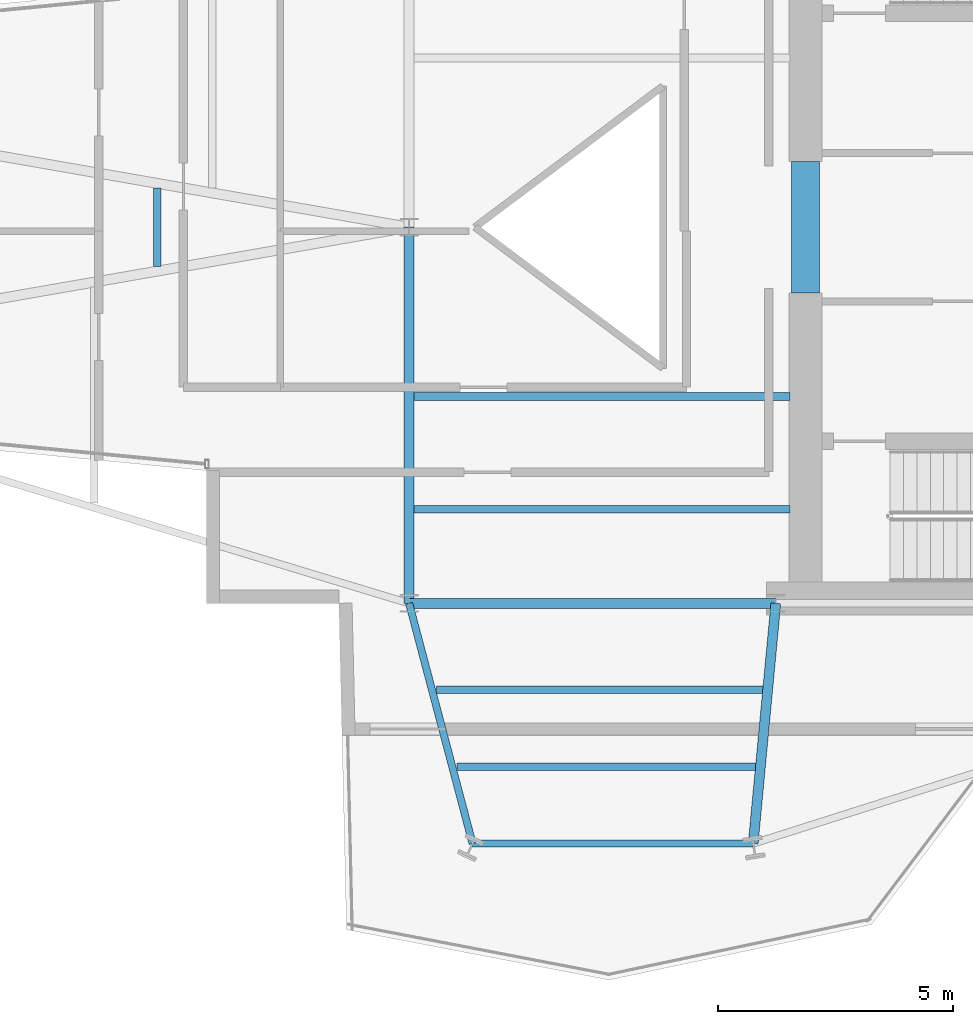
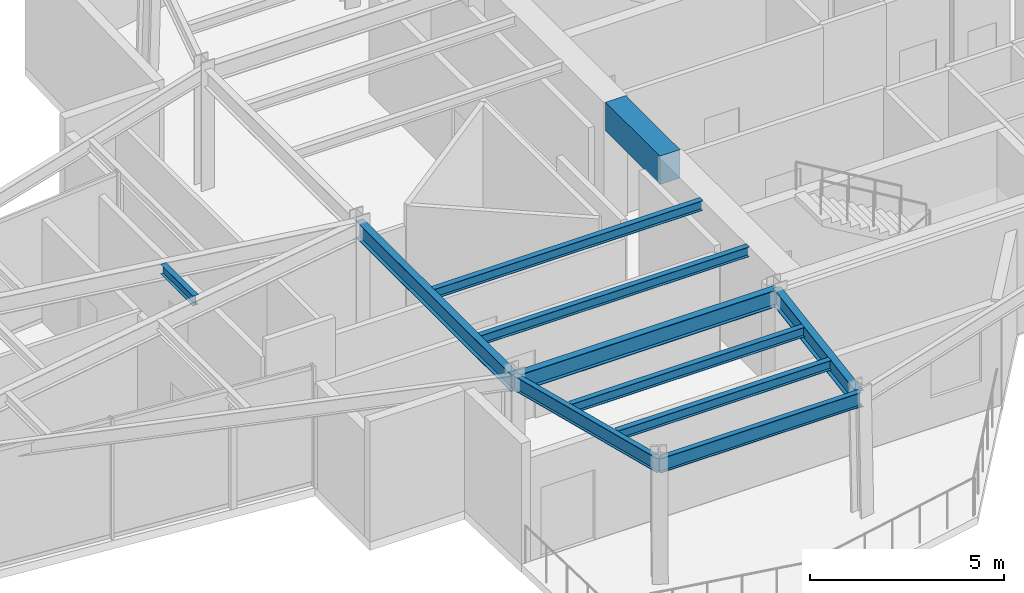
# One storey, part 5 of 21: 11 beams.
"""IFC4 building model written with IfcOpenShell, lengths in metres."""

import ifcopenshell
import ifcopenshell.guid

model = None  # the IFC model being written
_history = None  # IfcOwnerHistory: only IFC2X3 demands one
_inside = {}  # id of a spatial element -> (the spatial element, [elements in it])
_under = {}  # id of a project, library or spatial element -> (it, [spatial elements below it])
_declared = {}  # id of a project -> (the project, [libraries it declares])
_typed = {}  # id of a type object -> (the type object, [elements of that type])
_made_of = {}  # id of a material, layer set ... -> (it, [elements and type objects made of it])


def new_model(schema):
    """Start an empty IFC model of exactly this schema.

    Asked for "IFC4X3", IfcOpenShell would pick the latest addendum, in which some entities
    have other attributes; the version numbers below select the first issue.
    IFC2X3 requires an IfcOwnerHistory on every rooted entity: one is made here for all.
    """
    global model, _history
    if schema == "IFC4X3":
        model = ifcopenshell.file(schema_version=(4, 3, 0, 0))
    else:
        model = ifcopenshell.file(schema=schema)
    _inside.clear()
    _under.clear()
    _declared.clear()
    _typed.clear()
    _made_of.clear()
    _history = None
    if model.schema == "IFC2X3":
        org = make("IfcOrganization", Name="unknown")
        user = make(
            "IfcPersonAndOrganization",
            ThePerson=make("IfcPerson", FamilyName="unknown"),
            TheOrganization=org,
        )
        app = make(
            "IfcApplication",
            ApplicationDeveloper=org,
            Version="unknown",
            ApplicationFullName="unknown",
            ApplicationIdentifier="unknown",
        )
        _history = make(
            "IfcOwnerHistory",
            OwningUser=user,
            OwningApplication=app,
            ChangeAction="ADDED",
            CreationDate=0,
        )
    return model


def make(cls, **values):
    """One entity of the class cls with the attributes given. An attribute that is None is left unset."""
    return model.create_entity(
        cls, **{name: value for name, value in values.items() if value is not None}
    )


def rooted(cls, **values):
    """An entity with a GlobalId (a new one), such as an element, a storey or a relation."""
    return make(cls, GlobalId=ifcopenshell.guid.new(), OwnerHistory=_history, **values)


def si_unit(unit_type, name, prefix=None):
    """IfcSIUnit, for example si_unit("LENGTHUNIT", "METRE", prefix="MILLI")."""
    return make("IfcSIUnit", UnitType=unit_type, Prefix=prefix, Name=name)


def assignment(units):
    """IfcUnitAssignment: the units of a project."""
    return None if units is None else make("IfcUnitAssignment", Units=units)


def point(xyz):
    """IfcCartesianPoint."""
    return None if xyz is None else make("IfcCartesianPoint", Coordinates=xyz)


def direction(xyz):
    """IfcDirection."""
    return None if xyz is None else make("IfcDirection", DirectionRatios=xyz)


def frame(location, z_axis=None, x_axis=None):
    """IfcAxis2Placement3D, a coordinate frame: its origin and axes. An axis left out is left unset."""
    return make(
        "IfcAxis2Placement3D",
        Location=point(location),
        Axis=direction(z_axis),
        RefDirection=direction(x_axis),
    )


def frame_2d(location, x_axis=None):
    """IfcAxis2Placement2D, a coordinate frame in the plane: its origin and x axis."""
    return make(
        "IfcAxis2Placement2D", Location=point(location), RefDirection=direction(x_axis)
    )


def origin():
    """The frame at (0, 0, 0) with its axes left unset."""
    return frame((0.0, 0.0, 0.0))


def origin_2d():
    """The frame at (0, 0) in the plane with its x axis left unset."""
    return frame_2d((0.0, 0.0))


def place(relative_to, where):
    """IfcLocalPlacement: puts the frame where relative to a parent placement (None: the world)."""
    return make(
        "IfcLocalPlacement", PlacementRelTo=relative_to, RelativePlacement=where
    )


def context(
    kind, dimensions, precision=None, world=None, true_north=None, identifier=None
):
    """IfcGeometricRepresentationContext, for example the 3D "Model" context."""
    return make(
        "IfcGeometricRepresentationContext",
        ContextIdentifier=identifier,
        ContextType=kind,
        CoordinateSpaceDimension=dimensions,
        Precision=precision,
        WorldCoordinateSystem=world,
        TrueNorth=true_north,
    )


def subcontext(parent, identifier, kind, view, scale=None):
    """IfcGeometricRepresentationSubContext, for example "Body" below "Model"."""
    return make(
        "IfcGeometricRepresentationSubContext",
        ContextIdentifier=identifier,
        ContextType=kind,
        ParentContext=parent,
        TargetScale=scale,
        TargetView=view,
    )


def project(units=None, contexts=None):
    """IfcProject with its units and contexts."""
    return rooted(
        "IfcProject",
        Name="project",
        RepresentationContexts=contexts,
        UnitsInContext=assignment(units),
    )


def spatial(cls, under=None, at=None, **own):
    """A site, building, storey or space (cls), placed at a placement, below another one or the project."""
    s = rooted(cls, ObjectPlacement=at, **own)
    if under is not None:
        _under.setdefault(under.id(), (under, []))[1].append(s)
    return s


def profile(cls, at=None, kind="AREA", **sizes):
    """A parametric profile (cls). Its sizes go by their IFC names, for example OverallWidth=200.0."""
    return make(cls, ProfileType=kind, Position=at, **sizes)


def rectangle(**sizes):
    """IfcRectangleProfileDef."""
    return profile("IfcRectangleProfileDef", **sizes)


def i_section(**sizes):
    """IfcIShapeProfileDef."""
    return profile("IfcIShapeProfileDef", **sizes)


def extrude(swept, where, along, depth):
    """IfcExtrudedAreaSolid: the profile swept, set in the frame where, extruded along a direction by depth."""
    return make(
        "IfcExtrudedAreaSolid",
        SweptArea=swept,
        Position=where,
        ExtrudedDirection=direction(along),
        Depth=depth,
    )


def shape(context_of_items, identifier, shape_type, items):
    """IfcShapeRepresentation: the items that make up one representation, for example the "Body"."""
    return make(
        "IfcShapeRepresentation",
        ContextOfItems=context_of_items,
        RepresentationIdentifier=identifier,
        RepresentationType=shape_type,
        Items=items,
    )


def material(Name=None, Category=None):
    """IfcMaterial."""
    return make("IfcMaterial", Name=Name, Category=Category)


def material_profile(
    of_material, cross_section, Name=None, Category=None, Priority=None
):
    """IfcMaterialProfile: a cross section and its material."""
    return make(
        "IfcMaterialProfile",
        Name=Name,
        Material=of_material,
        Profile=cross_section,
        Priority=Priority,
        Category=Category,
    )


def profile_set(profiles, Name=None, composite=None):
    """IfcMaterialProfileSet."""
    return make(
        "IfcMaterialProfileSet",
        Name=Name,
        MaterialProfiles=profiles,
        CompositeProfile=composite,
    )


def made_of(thing, what):
    """Note that an element or type object is made of a material, layer set ...; save() writes the relation."""
    if what is not None:
        _made_of.setdefault(what.id(), (what, []))[1].append(thing)
    return thing


def type_object(cls, material=None, **own):
    """A type object (cls), such as IfcWallType, which elements share."""
    return made_of(rooted(cls, **own), material)


def element(
    cls,
    number,
    at=None,
    inside=None,
    cuts=None,
    type_object=None,
    material=None,
    context=None,
    identifier="Body",
    shape_type=None,
    held_by="IfcProductDefinitionShape",
    body=None,
    shapes=None,
    **own,
):
    """One element of the class cls, such as IfcWall. Its Tag is "e" and its number.

    at: its placement. inside: the storey or other place that contains it. cuts: it is an
    opening in that element (IfcRelVoidsElement). A single representation is given by context,
    identifier, shape_type and body (its items); several are given by shapes. held_by: the class
    of the entity that holds the representations. save() writes the other relations.
    """
    e = rooted(cls, Tag="e%d" % number, ObjectPlacement=at, **own)
    if body is not None:
        shapes = [shape(context, identifier, shape_type, body)]
    if shapes is not None:
        e.Representation = make(held_by, Representations=shapes)
    if inside is not None:
        _inside.setdefault(inside.id(), (inside, []))[1].append(e)
    if cuts is not None:
        rooted(
            "IfcRelVoidsElement", RelatingBuildingElement=cuts, RelatedOpeningElement=e
        )
    if type_object is not None:
        _typed.setdefault(type_object.id(), (type_object, []))[1].append(e)
    return made_of(e, material)


def aggregate(whole, parts):
    """IfcRelAggregates: a whole, such as a stair, and the parts it consists of."""
    return rooted("IfcRelAggregates", RelatingObject=whole, RelatedObjects=parts)


def save(model, path):
    """Write the relations noted so far, then the file.

    IfcRelAggregates (storeys below a building ...), IfcRelContainedInSpatialStructure (elements
    in a storey), IfcRelDefinesByType, IfcRelAssociatesMaterial and IfcRelDeclares: one each for
    every whole, place, type object, material and project.
    """
    for whole, parts in _under.values():
        aggregate(whole, parts)
    for where, things in _inside.values():
        rooted(
            "IfcRelContainedInSpatialStructure",
            RelatedElements=things,
            RelatingStructure=where,
        )
    for kind, things in _typed.values():
        rooted("IfcRelDefinesByType", RelatedObjects=things, RelatingType=kind)
    for what, things in _made_of.values():
        rooted("IfcRelAssociatesMaterial", RelatedObjects=things, RelatingMaterial=what)
    for by, libraries in _declared.values():
        rooted("IfcRelDeclares", RelatingContext=by, RelatedDefinitions=libraries)
    model.write(path)


model = new_model("IFC4")

# Units and contexts
model_context = context("Model", 3, precision=1e-05, world=origin(), true_north=direction((0.0, 1.0)))
body_context = subcontext(model_context, "Body", "Model", "MODEL_VIEW")
ifc_project = project(units=[si_unit("LENGTHUNIT", "METRE"), si_unit("AREAUNIT", "SQUARE_METRE"), si_unit("VOLUMEUNIT", "CUBIC_METRE"), si_unit("PLANEANGLEUNIT", "RADIAN"), si_unit("MASSUNIT", "GRAM", prefix="KILO")], contexts=[model_context])

# Site, building, storey
site_placement = place(None, origin())
site = spatial("IfcSite", under=ifc_project, at=site_placement, CompositionType="ELEMENT")
building_placement = place(site_placement, origin())
building = spatial("IfcBuilding", under=site, at=building_placement, Name="Veymaron Broadcast Tower", CompositionType="ELEMENT")
storey_placement = place(building_placement, frame((0.0, 0.0, 240.449951171875)))
storey = spatial("IfcBuildingStorey", under=building, at=storey_placement, Name="L56", CompositionType="ELEMENT", Elevation=240.449951171875)

# Beams
ifc_material_1 = material(Name="Concrete C60/75", Category="concrete")
ifc_material_profile_1 = material_profile(ifc_material_1, rectangle(XDim=0.60009765625, YDim=0.89990234375, at=origin_2d()), Name="RC600X900")
ifc_profile_set_1 = profile_set([ifc_material_profile_1], Name="Concrete C60/75")
beam_type_1 = type_object("IfcBeamType", Name="BM-CB2", PredefinedType="LINTEL", material=ifc_profile_set_1)
beam_1_placement = place(storey_placement, frame((39.6298828125, 22.60009765625, 3.340087890625), z_axis=(0.0, 1.0, 0.0), x_axis=(-1.0, 0.0, 0.0)))
element("IfcBeam", 1, at=beam_1_placement, inside=storey, type_object=beam_type_1, Name="L56 Core Wall west coupling beam", PredefinedType="LINTEL", context=body_context, shape_type="SweptSolid", body=[
    extrude(rectangle(XDim=0.60009765625, YDim=0.89990234375, at=origin_2d()), origin(), (0.0, 0.0, 1.0), 2.7998046875),
])
ifc_material_2 = material(Name="Structural steel ASTM A992 Gr 50", Category="steel")
ifc_material_profile_2 = material_profile(ifc_material_2, i_section(OverallWidth=0.2099609375, OverallDepth=0.537109375, WebThickness=0.010986328125, FlangeThickness=0.017333984375, at=origin_2d()), Name="W530X101")
ifc_profile_set_2 = profile_set([ifc_material_profile_2], Name="Structural steel ASTM A992 Gr 50")
beam_type_2 = type_object("IfcBeamType", Name="BM-FG3", PredefinedType="BEAM", material=ifc_profile_set_2)
beam_2_placement = place(storey_placement, frame((31.199951171875, 16.0, 3.521484375), z_axis=(0.0, 1.0, 0.0), x_axis=(-1.0, 0.0, 0.0)))
element("IfcBeam", 2, at=beam_2_placement, inside=storey, type_object=beam_type_2, Name="L56 primary structural floor girder", PredefinedType="BEAM", context=body_context, shape_type="SweptSolid", body=[
    extrude(i_section(OverallWidth=0.2099609375, OverallDepth=0.537109375, WebThickness=0.010986328125, FlangeThickness=0.017333984375, at=origin_2d()), origin(), (0.0, 0.0, 1.0), 8.0),
])
beam_3_placement = place(storey_placement, frame((31.199951171875, 16.0, 3.521484375), z_axis=(1.0, 0.0, 0.0), x_axis=(0.0, 1.0, 0.0)))
element("IfcBeam", 3, at=beam_3_placement, inside=storey, type_object=beam_type_2, Name="L56 primary structural floor girder", PredefinedType="BEAM", context=body_context, shape_type="SweptSolid", body=[
    extrude(i_section(OverallWidth=0.2099609375, OverallDepth=0.537109375, WebThickness=0.010986328125, FlangeThickness=0.017333984375, at=origin_2d()), origin(), (0.0, 0.0, 1.0), 7.800048828125),
])
beam_4_placement = place(storey_placement, frame((39.0, 16.0, 3.521484375), z_axis=(-0.093933273565, -0.995578495206, 0.0), x_axis=(0.995578495206, -0.093933273565, 0.0)))
element("IfcBeam", 4, at=beam_4_placement, inside=storey, type_object=beam_type_2, Name="L56 primary structural floor girder", PredefinedType="BEAM", context=body_context, shape_type="SweptSolid", body=[
    extrude(i_section(OverallWidth=0.2099609375, OverallDepth=0.537109375, WebThickness=0.010986328125, FlangeThickness=0.017333984375, at=origin_2d()), origin(), (0.0, 0.0, 1.0), 5.130615234375),
])
ifc_material_profile_3 = material_profile(ifc_material_2, i_section(OverallWidth=0.1650390625, OverallDepth=0.31005859375, WebThickness=0.005859375, FlangeThickness=0.009765625, at=origin_2d()), Name="W310X39")
ifc_profile_set_3 = profile_set([ifc_material_profile_3], Name="Structural steel ASTM A992 Gr 50")
beam_type_3 = type_object("IfcBeamType", Name="BM-JS3", PredefinedType="JOIST", material=ifc_profile_set_3)
beam_5_placement = place(storey_placement, frame((25.840576171875, 23.166259765625, 3.635009765625), z_axis=(0.0, 1.0, 0.0), x_axis=(-1.0, 0.0, 0.0)))
element("IfcBeam", 5, at=beam_5_placement, inside=storey, type_object=beam_type_3, Name="L56 Arm-A secondary joist 2M", PredefinedType="JOIST", context=body_context, shape_type="SweptSolid", body=[
    extrude(i_section(OverallWidth=0.1650390625, OverallDepth=0.31005859375, WebThickness=0.005859375, FlangeThickness=0.009765625, at=origin_2d()), origin(), (0.0, 0.0, 1.0), 1.66748046875),
])
beam_6_placement = place(storey_placement, frame((31.785888671875, 14.1611328125, 3.635009765625), z_axis=(1.0, 0.0, 0.0), x_axis=(0.0, 1.0, 0.0)))
element("IfcBeam", 6, at=beam_6_placement, inside=storey, type_object=beam_type_3, Name="L56 Arm-C secondary joist 1", PredefinedType="JOIST", context=body_context, shape_type="SweptSolid", body=[
    extrude(i_section(OverallWidth=0.1650390625, OverallDepth=0.31005859375, WebThickness=0.005859375, FlangeThickness=0.009765625, at=origin_2d()), origin(), (0.0, 0.0, 1.0), 6.940673828125),
])
beam_7_placement = place(storey_placement, frame((32.2177734375, 12.526611328125, 3.635009765625), z_axis=(1.0, 0.0, 0.0), x_axis=(0.0, 1.0, 0.0)))
element("IfcBeam", 7, at=beam_7_placement, inside=storey, type_object=beam_type_3, Name="L56 Arm-C secondary joist 2", PredefinedType="JOIST", context=body_context, shape_type="SweptSolid", body=[
    extrude(i_section(OverallWidth=0.1650390625, OverallDepth=0.31005859375, WebThickness=0.005859375, FlangeThickness=0.009765625, at=origin_2d()), origin(), (0.0, 0.0, 1.0), 6.3544921875),
])
for number, where, z_axis, x_axis, name in (
    (8, (31.300048828125, 18.0, 3.635009765625), (1.0, 0.0, 0.0), (0.0, 1.0, 0.0), "L56 Hub secondary joist 1"),
    (9, (31.300048828125, 20.39990234375, 3.635009765625), (1.0, 0.0, 0.0), (0.0, 1.0, 0.0), "L56 Hub secondary joist 2"),
):
    element("IfcBeam", number, at=place(storey_placement, frame(where, z_axis=z_axis, x_axis=x_axis)), inside=storey, type_object=beam_type_3, Name=name, PredefinedType="JOIST", context=body_context, shape_type="SweptSolid", body=[
        extrude(i_section(OverallWidth=0.1650390625, OverallDepth=0.31005859375, WebThickness=0.005859375, FlangeThickness=0.009765625, at=origin_2d()), origin(), (0.0, 0.0, 1.0), 8.0),
    ])
ifc_material_profile_4 = material_profile(ifc_material_2, i_section(OverallWidth=0.154052734375, OverallDepth=0.458984375, WebThickness=0.009033203125, FlangeThickness=0.015380859375, at=origin_2d()), Name="W460X68")
ifc_profile_set_4 = profile_set([ifc_material_profile_4], Name="Structural steel ASTM A992 Gr 50")
beam_type_4 = type_object("IfcBeamType", Name="BM-SP2", PredefinedType="SPANDREL", material=ifc_profile_set_4)
beam_8_placement = place(storey_placement, frame((31.199951171875, 16.0, 3.560546875), z_axis=(0.255453064719, -0.96682145804, 0.0), x_axis=(0.96682145804, 0.255453064719, 0.0)))
element("IfcBeam", 10, at=beam_8_placement, inside=storey, type_object=beam_type_4, Name="L56 primary structural floor girder", PredefinedType="SPANDREL", context=body_context, shape_type="SweptSolid", body=[
    extrude(i_section(OverallWidth=0.154052734375, OverallDepth=0.458984375, WebThickness=0.009033203125, FlangeThickness=0.015380859375, at=origin_2d()), origin(), (0.0, 0.0, 1.0), 5.283203125),
])
beam_9_placement = place(storey_placement, frame((32.549560546875, 10.89208984375, 3.560546875), z_axis=(1.0, 0.0, 0.0), x_axis=(0.0, 1.0, 0.0)))
element("IfcBeam", 11, at=beam_9_placement, inside=storey, type_object=beam_type_4, Name="L56 primary structural floor girder", PredefinedType="SPANDREL", context=body_context, shape_type="SweptSolid", body=[
    extrude(i_section(OverallWidth=0.154052734375, OverallDepth=0.458984375, WebThickness=0.009033203125, FlangeThickness=0.015380859375, at=origin_2d()), origin(), (0.0, 0.0, 1.0), 5.968505859375),
])

save(model, "model.ifc")
